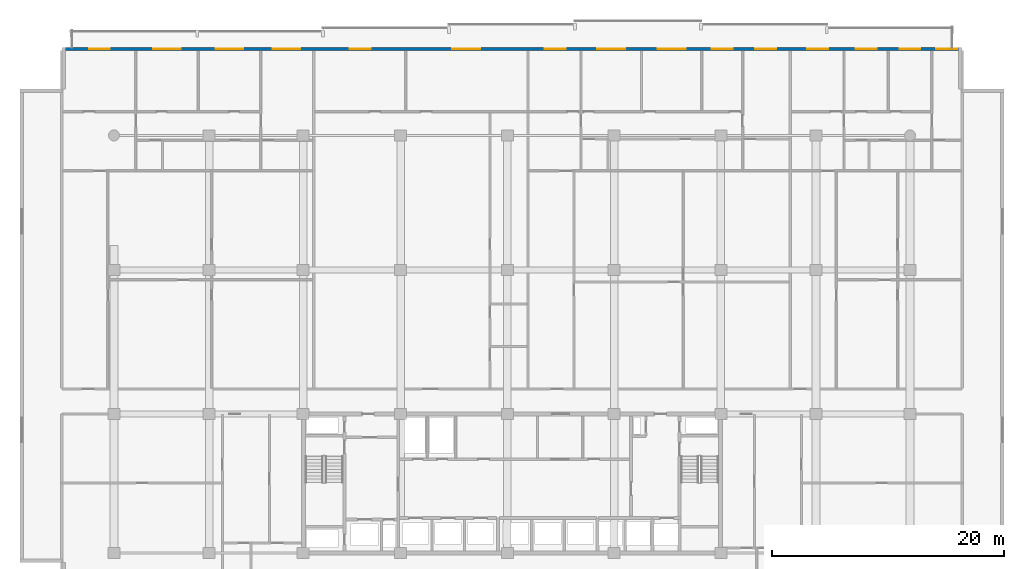
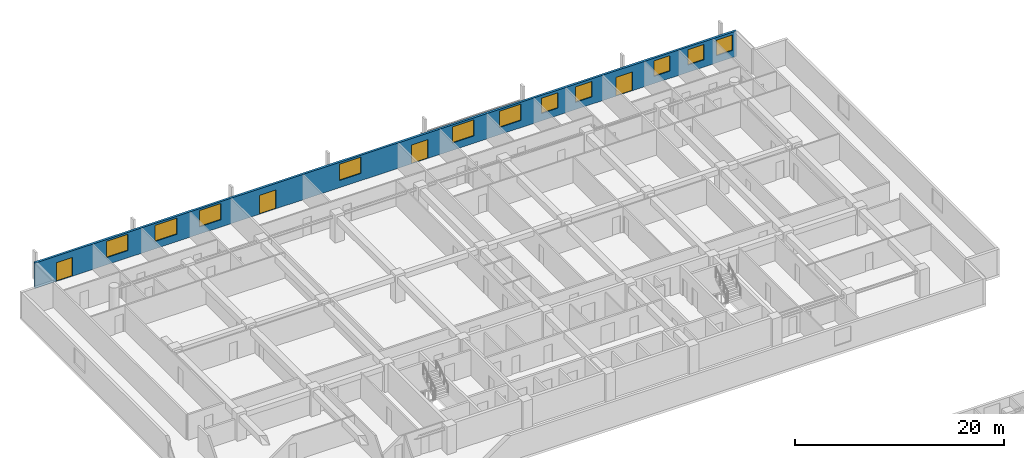
# One storey, part 16 of 23: 11 windows, 4 doors, 1 wall, 15 openings.
"""IFC4 building model written with IfcOpenShell, lengths in metres."""

from ifc_helpers import new_model, si_unit, direction, frame, frame_2d, origin, place, context, subcontext, project, spatial, rectangle, extrude, material, layer, layer_set, type_object, element, fill, save


model = new_model("IFC4")

# Units and contexts
model_context = context("Model", 3, precision=1e-05, world=origin(), true_north=direction((0.0, 1.0)))
body_context = subcontext(model_context, "Body", "Model", "MODEL_VIEW")
ifc_project = project(units=[si_unit("LENGTHUNIT", "METRE"), si_unit("AREAUNIT", "SQUARE_METRE"), si_unit("VOLUMEUNIT", "CUBIC_METRE"), si_unit("PLANEANGLEUNIT", "RADIAN"), si_unit("MASSUNIT", "GRAM", prefix="KILO")], contexts=[model_context])

# Site, building, storey
site_placement = place(None, origin())
site = spatial("IfcSite", under=ifc_project, at=site_placement, CompositionType="ELEMENT")
building_placement = place(site_placement, origin())
building = spatial("IfcBuilding", under=site, at=building_placement, Name="Korimba Cascade Residences", CompositionType="ELEMENT")
storey_placement = place(building_placement, frame((0.0, 0.0, 56.5)))
storey = spatial("IfcBuildingStorey", under=building, at=storey_placement, Name="L15", CompositionType="ELEMENT", Elevation=56.5)

# Wall, openings, doors, windows
ifc_material_1 = material(Name="Precast concrete C40/50", Category="concrete")
ifc_layer = layer(ifc_material_1, 0.25)
ifc_layer_set = layer_set([ifc_layer], Name="Precast concrete C40/50")
wall_type = type_object("IfcWallType", Name="EW-LOG-250", PredefinedType="STANDARD", material=ifc_layer_set)
wall_placement = place(storey_placement, frame((132.89990234375, 98.64990234375, 0.0), z_axis=(0.0, 0.0, 1.0), x_axis=(-1.0, 0.0, 0.0)))
wall = element("IfcWall", 1, at=wall_placement, inside=storey, type_object=wall_type, Name="L15 T1 Perimeter Stone Wall E06", PredefinedType="STANDARD", context=body_context, shape_type="SweptSolid", body=[
    extrude(rectangle(XDim=77.599853515625, YDim=0.25, at=frame_2d((38.7998046875, 0.0))), origin(), (0.0, 0.0, 1.0), 2.969970703125),
])
opening_1_placement = place(wall_placement, frame((67.32666015625, 0.0, 0.85009765625)))
opening_1 = element("IfcOpeningElement", 2, at=opening_1_placement, cuts=wall, Name="Opening W-01", PredefinedType="OPENING", context=body_context, shape_type="SweptSolid", body=[
    extrude(rectangle(XDim=2.39990234375, YDim=1.89990234375, at=frame_2d((1.199951171875, 0.949951171875))), frame((0.0, 0.135009765625, 0.0), z_axis=(0.0, -1.0, 0.0), x_axis=(1.0, 0.0, 0.0)), (0.0, 0.0, 1.0), 0.27001953125),
])
opening_2_placement = place(wall_placement, frame((61.93994140625, 0.0, 0.85009765625)))
opening_2 = element("IfcOpeningElement", 3, at=opening_2_placement, cuts=wall, Name="Opening W-01", PredefinedType="OPENING", context=body_context, shape_type="SweptSolid", body=[
    extrude(rectangle(XDim=2.39990234375, YDim=1.89990234375, at=frame_2d((1.199951171875, 0.949951171875))), frame((0.0, 0.135009765625, 0.0), z_axis=(0.0, -1.0, 0.0), x_axis=(1.0, 0.0, 0.0)), (0.0, 0.0, 1.0), 0.27001953125),
])
opening_3_placement = place(wall_placement, frame((73.449951171875, 0.0, 0.0)))
opening_3 = element("IfcOpeningElement", 4, at=opening_3_placement, cuts=wall, Name="Opening D-LG1", PredefinedType="OPENING", context=body_context, shape_type="SweptSolid", body=[
    extrude(rectangle(XDim=1.800048828125, YDim=2.199951171875, at=frame_2d((0.89990234375, 1.10009765625))), frame((0.0, 0.135009765625, 0.0), z_axis=(0.0, -1.0, 0.0), x_axis=(1.0, 0.0, 0.0)), (0.0, 0.0, 1.0), 0.27001953125),
])
opening_4_placement = place(wall_placement, frame((57.031494140625, 0.0, 0.85009765625)))
opening_4 = element("IfcOpeningElement", 5, at=opening_4_placement, cuts=wall, Name="Opening W-01", PredefinedType="OPENING", context=body_context, shape_type="SweptSolid", body=[
    extrude(rectangle(XDim=2.39990234375, YDim=1.89990234375, at=frame_2d((1.199951171875, 0.949951171875))), frame((0.0, 0.135009765625, 0.0), z_axis=(0.0, -1.0, 0.0), x_axis=(1.0, 0.0, 0.0)), (0.0, 0.0, 1.0), 0.27001953125),
])
opening_5_placement = place(wall_placement, frame((50.970703125, 0.0, 0.0)))
opening_5 = element("IfcOpeningElement", 6, at=opening_5_placement, cuts=wall, Name="Opening D-LG1", PredefinedType="OPENING", context=body_context, shape_type="SweptSolid", body=[
    extrude(rectangle(XDim=1.800048828125, YDim=2.199951171875, at=frame_2d((0.89990234375, 1.10009765625))), frame((0.0, 0.135009765625, 0.0), z_axis=(0.0, -1.0, 0.0), x_axis=(1.0, 0.0, 0.0)), (0.0, 0.0, 1.0), 0.27001953125),
])
opening_6_placement = place(wall_placement, frame((41.5537109375, 0.0, 0.85009765625)))
opening_6 = element("IfcOpeningElement", 7, at=opening_6_placement, cuts=wall, Name="Opening W-01", PredefinedType="OPENING", context=body_context, shape_type="SweptSolid", body=[
    extrude(rectangle(XDim=2.39990234375, YDim=1.89990234375, at=frame_2d((1.199951171875, 0.949951171875))), frame((0.0, 0.135009765625, 0.0), z_axis=(0.0, -1.0, 0.0), x_axis=(1.0, 0.0, 0.0)), (0.0, 0.0, 1.0), 0.27001953125),
])
opening_7_placement = place(wall_placement, frame((29.042724609375, 0.0, 0.85009765625)))
opening_7 = element("IfcOpeningElement", 8, at=opening_7_placement, cuts=wall, Name="Opening W-01", PredefinedType="OPENING", context=body_context, shape_type="SweptSolid", body=[
    extrude(rectangle(XDim=2.39990234375, YDim=1.89990234375, at=frame_2d((1.199951171875, 0.949951171875))), frame((0.0, 0.135009765625, 0.0), z_axis=(0.0, -1.0, 0.0), x_axis=(1.0, 0.0, 0.0)), (0.0, 0.0, 1.0), 0.27001953125),
])
opening_8_placement = place(wall_placement, frame((23.8427734375, 0.0, 0.85009765625)))
opening_8 = element("IfcOpeningElement", 9, at=opening_8_placement, cuts=wall, Name="Opening W-01", PredefinedType="OPENING", context=body_context, shape_type="SweptSolid", body=[
    extrude(rectangle(XDim=2.39990234375, YDim=1.89990234375, at=frame_2d((1.199951171875, 0.949951171875))), frame((0.0, 0.135009765625, 0.0), z_axis=(0.0, -1.0, 0.0), x_axis=(1.0, 0.0, 0.0)), (0.0, 0.0, 1.0), 0.27001953125),
])
opening_9_placement = place(wall_placement, frame((19.781494140625, 0.0, 0.85009765625)))
opening_9 = element("IfcOpeningElement", 10, at=opening_9_placement, cuts=wall, Name="Opening W-02", PredefinedType="OPENING", context=body_context, shape_type="SweptSolid", body=[
    extrude(rectangle(XDim=1.800048828125, YDim=1.800048828125, at=frame_2d((0.89990234375, 0.89990234375))), frame((0.0, 0.135009765625, 0.0), z_axis=(0.0, -1.0, 0.0), x_axis=(1.0, 0.0, 0.0)), (0.0, 0.0, 1.0), 0.27001953125),
])
opening_10_placement = place(wall_placement, frame((34.172607421875, 0.0, 0.0)))
opening_10 = element("IfcOpeningElement", 11, at=opening_10_placement, cuts=wall, Name="Opening D-LG1", PredefinedType="OPENING", context=body_context, shape_type="SweptSolid", body=[
    extrude(rectangle(XDim=1.800048828125, YDim=2.199951171875, at=frame_2d((0.89990234375, 1.10009765625))), frame((0.0, 0.135009765625, 0.0), z_axis=(0.0, -1.0, 0.0), x_axis=(1.0, 0.0, 0.0)), (0.0, 0.0, 1.0), 0.27001953125),
])
opening_11_placement = place(wall_placement, frame((16.0283203125, 0.0, 0.85009765625)))
opening_11 = element("IfcOpeningElement", 12, at=opening_11_placement, cuts=wall, Name="Opening W-02", PredefinedType="OPENING", context=body_context, shape_type="SweptSolid", body=[
    extrude(rectangle(XDim=1.800048828125, YDim=1.800048828125, at=frame_2d((0.89990234375, 0.89990234375))), frame((0.0, 0.135009765625, 0.0), z_axis=(0.0, -1.0, 0.0), x_axis=(1.0, 0.0, 0.0)), (0.0, 0.0, 1.0), 0.27001953125),
])
opening_12_placement = place(wall_placement, frame((7.379150390625, 0.0, 0.85009765625)))
opening_12 = element("IfcOpeningElement", 13, at=opening_12_placement, cuts=wall, Name="Opening W-02", PredefinedType="OPENING", context=body_context, shape_type="SweptSolid", body=[
    extrude(rectangle(XDim=1.800048828125, YDim=1.800048828125, at=frame_2d((0.89990234375, 0.89990234375))), frame((0.0, 0.135009765625, 0.0), z_axis=(0.0, -1.0, 0.0), x_axis=(1.0, 0.0, 0.0)), (0.0, 0.0, 1.0), 0.27001953125),
])
opening_13_placement = place(wall_placement, frame((3.60009765625, 0.0, 0.85009765625)))
opening_13 = element("IfcOpeningElement", 14, at=opening_13_placement, cuts=wall, Name="Opening W-02", PredefinedType="OPENING", context=body_context, shape_type="SweptSolid", body=[
    extrude(rectangle(XDim=1.800048828125, YDim=1.800048828125, at=frame_2d((0.89990234375, 0.89990234375))), frame((0.0, 0.135009765625, 0.0), z_axis=(0.0, -1.0, 0.0), x_axis=(1.0, 0.0, 0.0)), (0.0, 0.0, 1.0), 0.27001953125),
])
opening_14_placement = place(wall_placement, frame((11.53759765625, 0.0, 0.0)))
opening_14 = element("IfcOpeningElement", 15, at=opening_14_placement, cuts=wall, Name="Opening D-LG1", PredefinedType="OPENING", context=body_context, shape_type="SweptSolid", body=[
    extrude(rectangle(XDim=1.800048828125, YDim=2.199951171875, at=frame_2d((0.89990234375, 1.10009765625))), frame((0.0, 0.135009765625, 0.0), z_axis=(0.0, -1.0, 0.0), x_axis=(1.0, 0.0, 0.0)), (0.0, 0.0, 1.0), 0.27001953125),
])
opening_15_placement = place(wall_placement, frame((0.445068359375, 0.0, 0.85009765625)))
opening_15 = element("IfcOpeningElement", 16, at=opening_15_placement, cuts=wall, Name="Opening W-02", PredefinedType="OPENING", context=body_context, shape_type="SweptSolid", body=[
    extrude(rectangle(XDim=1.800048828125, YDim=1.800048828125, at=frame_2d((0.89990234375, 0.89990234375))), frame((0.0, 0.135009765625, 0.0), z_axis=(0.0, -1.0, 0.0), x_axis=(1.0, 0.0, 0.0)), (0.0, 0.0, 1.0), 0.27001953125),
])
ifc_material_2 = material(Name="Glazed Aluminium Loggia Sliding Door", Category="aluminium")
door_type = type_object("IfcDoorType", Name="DR-EXT-LOG", OperationType="NOTDEFINED", PredefinedType="DOOR", material=ifc_material_2)
door_1_placement = place(opening_3_placement, origin())
door_1 = element("IfcDoor", 17, at=door_1_placement, inside=storey, type_object=door_type, Name="L15 T1 Loggia Sliding Door 5", OperationType="SLIDING_TO_LEFT", OverallHeight=2.199951171875, OverallWidth=1.800048828125, PredefinedType="DOOR", context=body_context, shape_type="SweptSolid", body=[
    extrude(rectangle(XDim=1.800048828125, YDim=2.199951171875, at=frame_2d((0.89990234375, 1.10009765625))), frame((0.0, 0.02490234375, 0.0), z_axis=(0.0, -1.0, 0.0), x_axis=(1.0, 0.0, 0.0)), (0.0, 0.0, 1.0), 0.050048828125),
])
fill(opening_3, door_1)
door_2_placement = place(opening_5_placement, origin())
door_2 = element("IfcDoor", 18, at=door_2_placement, inside=storey, type_object=door_type, Name="L15 T1 Loggia Sliding Door 7", OperationType="SLIDING_TO_LEFT", OverallHeight=2.199951171875, OverallWidth=1.800048828125, PredefinedType="DOOR", context=body_context, shape_type="SweptSolid", body=[
    extrude(rectangle(XDim=1.800048828125, YDim=2.199951171875, at=frame_2d((0.89990234375, 1.10009765625))), frame((0.0, 0.02490234375, 0.0), z_axis=(0.0, -1.0, 0.0), x_axis=(1.0, 0.0, 0.0)), (0.0, 0.0, 1.0), 0.050048828125),
])
fill(opening_5, door_2)
door_3_placement = place(opening_10_placement, origin())
door_3 = element("IfcDoor", 19, at=door_3_placement, inside=storey, type_object=door_type, Name="L15 T1 Loggia Sliding Door 12", OperationType="SLIDING_TO_LEFT", OverallHeight=2.199951171875, OverallWidth=1.800048828125, PredefinedType="DOOR", context=body_context, shape_type="SweptSolid", body=[
    extrude(rectangle(XDim=1.800048828125, YDim=2.199951171875, at=frame_2d((0.89990234375, 1.10009765625))), frame((0.0, 0.02490234375, 0.0), z_axis=(0.0, -1.0, 0.0), x_axis=(1.0, 0.0, 0.0)), (0.0, 0.0, 1.0), 0.050048828125),
])
fill(opening_10, door_3)
door_4_placement = place(opening_14_placement, origin())
door_4 = element("IfcDoor", 20, at=door_4_placement, inside=storey, type_object=door_type, Name="L15 T1 Loggia Sliding Door 16", OperationType="SLIDING_TO_LEFT", OverallHeight=2.199951171875, OverallWidth=1.800048828125, PredefinedType="DOOR", context=body_context, shape_type="SweptSolid", body=[
    extrude(rectangle(XDim=1.800048828125, YDim=2.199951171875, at=frame_2d((0.89990234375, 1.10009765625))), frame((0.0, 0.02490234375, 0.0), z_axis=(0.0, -1.0, 0.0), x_axis=(1.0, 0.0, 0.0)), (0.0, 0.0, 1.0), 0.050048828125),
])
fill(opening_14, door_4)
ifc_material_3 = material(Name="Double-Glazed Aluminium Window", Category="aluminium")
window_type_1 = type_object("IfcWindowType", Name="WIN-BED-1800", PartitioningType="SINGLE_PANEL", PredefinedType="WINDOW", material=ifc_material_3)
window_1_placement = place(opening_9_placement, origin())
window_1 = element("IfcWindow", 21, at=window_1_placement, inside=storey, type_object=window_type_1, Name="L15 T1 North Facade Window 11", OverallHeight=1.800048828125, OverallWidth=1.800048828125, PartitioningType="SINGLE_PANEL", PredefinedType="WINDOW", context=body_context, shape_type="SweptSolid", body=[
    extrude(rectangle(XDim=1.800048828125, YDim=1.800048828125, at=frame_2d((0.89990234375, 0.89990234375))), frame((0.0, 0.030029296875, 0.0), z_axis=(0.0, -1.0, 0.0), x_axis=(1.0, 0.0, 0.0)), (0.0, 0.0, 1.0), 0.06005859375),
])
fill(opening_9, window_1)
window_2_placement = place(opening_11_placement, origin())
window_2 = element("IfcWindow", 22, at=window_2_placement, inside=storey, type_object=window_type_1, Name="L15 T1 North Facade Window 13", OverallHeight=1.800048828125, OverallWidth=1.800048828125, PartitioningType="SINGLE_PANEL", PredefinedType="WINDOW", context=body_context, shape_type="SweptSolid", body=[
    extrude(rectangle(XDim=1.800048828125, YDim=1.800048828125, at=frame_2d((0.89990234375, 0.89990234375))), frame((0.0, 0.030029296875, 0.0), z_axis=(0.0, -1.0, 0.0), x_axis=(1.0, 0.0, 0.0)), (0.0, 0.0, 1.0), 0.06005859375),
])
fill(opening_11, window_2)
window_3_placement = place(opening_12_placement, origin())
window_3 = element("IfcWindow", 23, at=window_3_placement, inside=storey, type_object=window_type_1, Name="L15 T1 North Facade Window 14", OverallHeight=1.800048828125, OverallWidth=1.800048828125, PartitioningType="SINGLE_PANEL", PredefinedType="WINDOW", context=body_context, shape_type="SweptSolid", body=[
    extrude(rectangle(XDim=1.800048828125, YDim=1.800048828125, at=frame_2d((0.89990234375, 0.89990234375))), frame((0.0, 0.030029296875, 0.0), z_axis=(0.0, -1.0, 0.0), x_axis=(1.0, 0.0, 0.0)), (0.0, 0.0, 1.0), 0.06005859375),
])
fill(opening_12, window_3)
window_4_placement = place(opening_13_placement, origin())
window_4 = element("IfcWindow", 24, at=window_4_placement, inside=storey, type_object=window_type_1, Name="L15 T1 North Facade Window 15", OverallHeight=1.800048828125, OverallWidth=1.800048828125, PartitioningType="SINGLE_PANEL", PredefinedType="WINDOW", context=body_context, shape_type="SweptSolid", body=[
    extrude(rectangle(XDim=1.800048828125, YDim=1.800048828125, at=frame_2d((0.89990234375, 0.89990234375))), frame((0.0, 0.030029296875, 0.0), z_axis=(0.0, -1.0, 0.0), x_axis=(1.0, 0.0, 0.0)), (0.0, 0.0, 1.0), 0.06005859375),
])
fill(opening_13, window_4)
window_5_placement = place(opening_15_placement, origin())
window_5 = element("IfcWindow", 25, at=window_5_placement, inside=storey, type_object=window_type_1, Name="L15 T1 North Facade Window 17", OverallHeight=1.800048828125, OverallWidth=1.800048828125, PartitioningType="SINGLE_PANEL", PredefinedType="WINDOW", context=body_context, shape_type="SweptSolid", body=[
    extrude(rectangle(XDim=1.800048828125, YDim=1.800048828125, at=frame_2d((0.89990234375, 0.89990234375))), frame((0.0, 0.030029296875, 0.0), z_axis=(0.0, -1.0, 0.0), x_axis=(1.0, 0.0, 0.0)), (0.0, 0.0, 1.0), 0.06005859375),
])
fill(opening_15, window_5)
window_type_2 = type_object("IfcWindowType", Name="WIN-RES-2400", PartitioningType="DOUBLE_PANEL_VERTICAL", PredefinedType="WINDOW", material=ifc_material_3)
window_6_placement = place(opening_1_placement, origin())
window_6 = element("IfcWindow", 26, at=window_6_placement, inside=storey, type_object=window_type_2, Name="L15 T1 North Facade Window 3", OverallHeight=1.89990234375, OverallWidth=2.39990234375, PartitioningType="DOUBLE_PANEL_VERTICAL", PredefinedType="WINDOW", context=body_context, shape_type="SweptSolid", body=[
    extrude(rectangle(XDim=2.39990234375, YDim=1.89990234375, at=frame_2d((1.199951171875, 0.949951171875))), frame((0.0, 0.030029296875, 0.0), z_axis=(0.0, -1.0, 0.0), x_axis=(1.0, 0.0, 0.0)), (0.0, 0.0, 1.0), 0.06005859375),
])
fill(opening_1, window_6)
window_7_placement = place(opening_2_placement, origin())
window_7 = element("IfcWindow", 27, at=window_7_placement, inside=storey, type_object=window_type_2, Name="L15 T1 North Facade Window 4", OverallHeight=1.89990234375, OverallWidth=2.39990234375, PartitioningType="DOUBLE_PANEL_VERTICAL", PredefinedType="WINDOW", context=body_context, shape_type="SweptSolid", body=[
    extrude(rectangle(XDim=2.39990234375, YDim=1.89990234375, at=frame_2d((1.199951171875, 0.949951171875))), frame((0.0, 0.030029296875, 0.0), z_axis=(0.0, -1.0, 0.0), x_axis=(1.0, 0.0, 0.0)), (0.0, 0.0, 1.0), 0.06005859375),
])
fill(opening_2, window_7)
window_8_placement = place(opening_4_placement, origin())
window_8 = element("IfcWindow", 28, at=window_8_placement, inside=storey, type_object=window_type_2, Name="L15 T1 North Facade Window 6", OverallHeight=1.89990234375, OverallWidth=2.39990234375, PartitioningType="DOUBLE_PANEL_VERTICAL", PredefinedType="WINDOW", context=body_context, shape_type="SweptSolid", body=[
    extrude(rectangle(XDim=2.39990234375, YDim=1.89990234375, at=frame_2d((1.199951171875, 0.949951171875))), frame((0.0, 0.030029296875, 0.0), z_axis=(0.0, -1.0, 0.0), x_axis=(1.0, 0.0, 0.0)), (0.0, 0.0, 1.0), 0.06005859375),
])
fill(opening_4, window_8)
window_9_placement = place(opening_6_placement, origin())
window_9 = element("IfcWindow", 29, at=window_9_placement, inside=storey, type_object=window_type_2, Name="L15 T1 North Facade Window 8", OverallHeight=1.89990234375, OverallWidth=2.39990234375, PartitioningType="DOUBLE_PANEL_VERTICAL", PredefinedType="WINDOW", context=body_context, shape_type="SweptSolid", body=[
    extrude(rectangle(XDim=2.39990234375, YDim=1.89990234375, at=frame_2d((1.199951171875, 0.949951171875))), frame((0.0, 0.030029296875, 0.0), z_axis=(0.0, -1.0, 0.0), x_axis=(1.0, 0.0, 0.0)), (0.0, 0.0, 1.0), 0.06005859375),
])
fill(opening_6, window_9)
window_10_placement = place(opening_7_placement, origin())
window_10 = element("IfcWindow", 30, at=window_10_placement, inside=storey, type_object=window_type_2, Name="L15 T1 North Facade Window 9", OverallHeight=1.89990234375, OverallWidth=2.39990234375, PartitioningType="DOUBLE_PANEL_VERTICAL", PredefinedType="WINDOW", context=body_context, shape_type="SweptSolid", body=[
    extrude(rectangle(XDim=2.39990234375, YDim=1.89990234375, at=frame_2d((1.199951171875, 0.949951171875))), frame((0.0, 0.030029296875, 0.0), z_axis=(0.0, -1.0, 0.0), x_axis=(1.0, 0.0, 0.0)), (0.0, 0.0, 1.0), 0.06005859375),
])
fill(opening_7, window_10)
window_11_placement = place(opening_8_placement, origin())
window_11 = element("IfcWindow", 31, at=window_11_placement, inside=storey, type_object=window_type_2, Name="L15 T1 North Facade Window 10", OverallHeight=1.89990234375, OverallWidth=2.39990234375, PartitioningType="DOUBLE_PANEL_VERTICAL", PredefinedType="WINDOW", context=body_context, shape_type="SweptSolid", body=[
    extrude(rectangle(XDim=2.39990234375, YDim=1.89990234375, at=frame_2d((1.199951171875, 0.949951171875))), frame((0.0, 0.030029296875, 0.0), z_axis=(0.0, -1.0, 0.0), x_axis=(1.0, 0.0, 0.0)), (0.0, 0.0, 1.0), 0.06005859375),
])
fill(opening_8, window_11)

save(model, "model.ifc")
